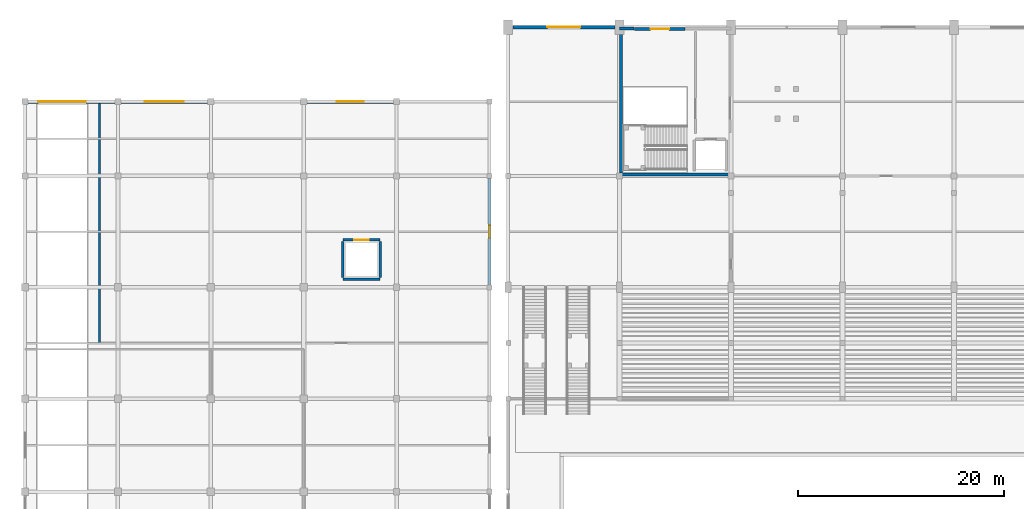
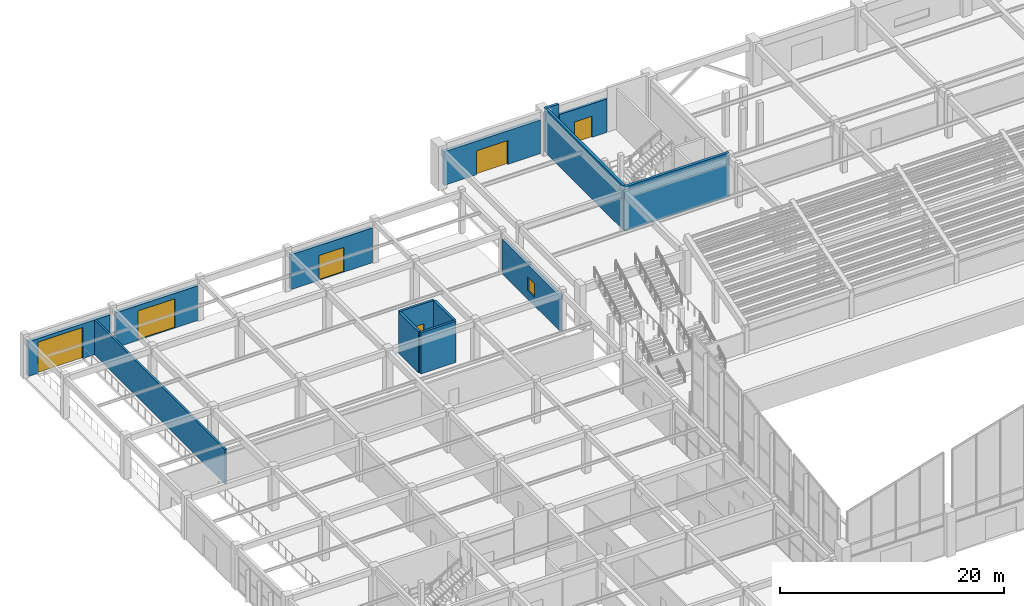
# One storey, part 53 of 82: 14 walls, 6 doors, 1 window, 7 openings.
"""IFC4 building model written with IfcOpenShell, lengths in metres."""

from ifc_helpers import new_model, si_unit, direction, frame, frame_2d, origin, place, context, subcontext, project, spatial, rectangle, extrude, material, layer, layer_set, type_object, element, fill, save


model = new_model("IFC4")

# Units and contexts
model_context = context("Model", 3, precision=1e-05, world=origin(), true_north=direction((0.0, 1.0)))
body_context = subcontext(model_context, "Body", "Model", "MODEL_VIEW")
ifc_project = project(units=[si_unit("LENGTHUNIT", "METRE"), si_unit("AREAUNIT", "SQUARE_METRE"), si_unit("VOLUMEUNIT", "CUBIC_METRE"), si_unit("PLANEANGLEUNIT", "RADIAN"), si_unit("MASSUNIT", "GRAM", prefix="KILO")], contexts=[model_context])

# Site, building, storey
site_placement = place(None, origin())
site = spatial("IfcSite", under=ifc_project, at=site_placement, CompositionType="ELEMENT")
building_placement = place(site_placement, origin())
building = spatial("IfcBuilding", under=site, at=building_placement, Name="Suirenkawa Promenade Aquatics Centre", CompositionType="ELEMENT")
storey_placement = place(building_placement, origin())
storey = spatial("IfcBuildingStorey", under=building, at=storey_placement, Name="L00", CompositionType="ELEMENT", Elevation=0.0)

# Walls
ifc_material_1 = material(Name="Autoclaved aerated concrete blockwork Grade 1", Category="masonry")
ifc_layer_1 = layer(ifc_material_1, 0.199951171875, Name="Autoclaved aerated concrete blockwork Grade 1", Category="masonry")
ifc_layer_set_1 = layer_set([ifc_layer_1], Name="Autoclaved aerated concrete blockwork Grade 1")
wall_type_1 = type_object("IfcWallType", Name="WT-COMP-200", PredefinedType="PARTITIONING", material=ifc_layer_set_1)
wall_1_placement = place(storey_placement, frame((7.199951171875, 91.800048828125, 0.0), z_axis=(0.0, 0.0, 1.0), x_axis=(0.0, 1.0, 0.0)))
element("IfcWall", 1, at=wall_1_placement, inside=storey, type_object=wall_type_1, Name="Interior wall WL-PRT-01 W-7231", PredefinedType="PARTITIONING", context=body_context, shape_type="SweptSolid", body=[
    extrude(rectangle(XDim=23.39990234375, YDim=0.199951171875, at=frame_2d((11.699951171875, 0.0))), origin(), (0.0, 0.0, 1.0), 3.784912109375),
])
ifc_material_2 = material(Name="Concrete M40", Category="concrete")
ifc_layer_2 = layer(ifc_material_2, 0.280029296875, Name="Concrete M40", Category="concrete")
ifc_layer_set_2 = layer_set([ifc_layer_2], Name="Concrete M40")
wall_type_2 = type_object("IfcWallType", Name="WT-CORE-280", PredefinedType="SHEAR", material=ifc_layer_set_2)
wall_2_placement = place(storey_placement, frame((57.60009765625, 108.139892578125, 0.0), z_axis=(0.0, 0.0, 1.0), x_axis=(1.0, 0.0, 0.0)))
element("IfcWall", 2, at=wall_2_placement, inside=storey, type_object=wall_type_2, Name="C3 south core wall WL-CORE-02 W-0113", PredefinedType="SHEAR", context=body_context, shape_type="SweptSolid", body=[
    extrude(rectangle(XDim=10.7998046875, YDim=0.280029296875, at=frame_2d((5.39990234375, 0.0))), origin(), (0.0, 0.0, 1.0), 4.800048828125),
])
wall_3_placement = place(storey_placement, frame((57.60009765625, 122.260009765625, 0.0), z_axis=(0.0, 0.0, 1.0), x_axis=(1.0, 0.0, 0.0)))
element("IfcWall", 3, at=wall_3_placement, inside=storey, type_object=wall_type_2, Name="C3 north-west core wall WL-CORE-02 W-0114", PredefinedType="SHEAR", context=body_context, shape_type="SweptSolid", body=[
    extrude(rectangle(XDim=1.39990234375, YDim=0.280029296875, at=frame_2d((0.699951171875, 0.0))), origin(), (0.0, 0.0, 1.0), 4.800048828125),
])
wall_4_placement = place(storey_placement, frame((57.739990234375, 108.280029296875, 0.0), z_axis=(0.0, 0.0, 1.0), x_axis=(0.0, 1.0, 0.0)))
element("IfcWall", 4, at=wall_4_placement, inside=storey, type_object=wall_type_2, Name="C3 west core wall WL-CORE-02 W-0116", PredefinedType="SHEAR", context=body_context, shape_type="SweptSolid", body=[
    extrude(rectangle(XDim=13.840087890625, YDim=0.280029296875, at=frame_2d((6.919921875, 0.0))), origin(), (0.0, 0.0, 1.0), 4.800048828125),
])

# Wall, opening, door
ifc_layer_3 = layer(ifc_material_2, 0.27001953125, Name="Concrete M40", Category="concrete")
ifc_layer_set_3 = layer_set([ifc_layer_3], Name="Concrete M40")
wall_type_3 = type_object("IfcWallType", Name="WT-EXT-270", PredefinedType="SOLIDWALL", material=ifc_layer_set_3)
wall_5_placement = place(storey_placement, frame((59.050048828125, 122.239990234375, 0.0), z_axis=(0.0, 0.0, 1.0), x_axis=(1.0, 0.0, 0.0)))
wall_5 = element("IfcWall", 5, at=wall_5_placement, inside=storey, type_object=wall_type_3, Name="Exterior wall WL-EXT-04 W-5133", PredefinedType="SOLIDWALL", context=body_context, shape_type="SweptSolid", body=[
    extrude(rectangle(XDim=4.89990234375, YDim=0.27001953125, at=frame_2d((2.449951171875, 0.0))), origin(), (0.0, 0.0, 1.0), 3.655029296875),
])
opening_1_placement = place(wall_5_placement, frame((1.550048828125, 0.0, 0.0)))
opening_1 = element("IfcOpeningElement", 6, at=opening_1_placement, cuts=wall_5, Name="Opening ED-07", PredefinedType="OPENING", context=body_context, shape_type="SweptSolid", body=[
    extrude(rectangle(XDim=1.800048828125, YDim=2.300048828125, at=frame_2d((0.89990234375, 1.14990234375))), frame((0.0, 0.14501953125, 0.0), z_axis=(0.0, -1.0, 0.0), x_axis=(1.0, 0.0, 0.0)), (0.0, 0.0, 1.0), 0.2900390625),
])
ifc_material_3 = material(Name="Anodised aluminium 6063-T6", Category="aluminium")
door_type_1 = type_object("IfcDoorType", Name="DT-EXT-TERR-1800x2300", OperationType="DOUBLE_DOOR_SINGLE_SWING", PredefinedType="DOOR", material=ifc_material_3)
door_1_placement = place(opening_1_placement, origin())
door_1 = element("IfcDoor", 7, at=door_1_placement, inside=storey, type_object=door_type_1, Name="Exterior door ED-07 DR-EXT-055", OperationType="DOUBLE_DOOR_SINGLE_SWING", OverallHeight=2.300048828125, OverallWidth=1.800048828125, PredefinedType="DOOR", context=body_context, shape_type="SweptSolid", body=[
    extrude(rectangle(XDim=1.800048828125, YDim=2.300048828125, at=frame_2d((0.89990234375, 1.14990234375))), frame((0.0, 0.02490234375, 0.0), z_axis=(0.0, -1.0, 0.0), x_axis=(1.0, 0.0, 0.0)), (0.0, 0.0, 1.0), 0.050048828125),
])
fill(opening_1, door_1)

# Wall, opening, window
ifc_layer_4 = layer(ifc_material_2, 0.2900390625, Name="Concrete M40", Category="concrete")
ifc_layer_set_4 = layer_set([ifc_layer_4], Name="Concrete M40")
wall_type_4 = type_object("IfcWallType", Name="WT-EXT-290", PredefinedType="SOLIDWALL", material=ifc_layer_set_4)
wall_6_placement = place(storey_placement, frame((45.0, 107.7451171875, 0.0), z_axis=(0.0, 0.0, 1.0), x_axis=(0.0, -1.0, 0.0)))
wall_6 = element("IfcWall", 8, at=wall_6_placement, inside=storey, type_object=wall_type_4, Name="Exterior wall WL-EXT-03 W-5102", PredefinedType="SOLIDWALL", context=body_context, shape_type="SweptSolid", body=[
    extrude(rectangle(XDim=10.2900390625, YDim=0.2900390625, at=frame_2d((5.14501953125, 0.0))), origin(), (0.0, 0.0, 1.0), 3.784912109375),
])
opening_2_placement = place(wall_6_placement, frame((4.544921875, 0.0, 0.949951171875)))
opening_2 = element("IfcOpeningElement", 9, at=opening_2_placement, cuts=wall_6, Name="Opening WN-15", PredefinedType="OPENING", context=body_context, shape_type="SweptSolid", body=[
    extrude(rectangle(XDim=1.199951171875, YDim=1.5, at=frame_2d((0.60009765625, 0.75))), frame((0.0, 0.155029296875, 0.0), z_axis=(0.0, -1.0, 0.0), x_axis=(1.0, 0.0, 0.0)), (0.0, 0.0, 1.0), 0.31005859375),
])
ifc_material_4 = material(Name="Low-E thermally broken double glazing", Category="glass")
window_type = type_object("IfcWindowType", Name="WNT-STD-1200x1500", PartitioningType="SINGLE_PANEL", PredefinedType="WINDOW", material=ifc_material_4)
window_placement = place(opening_2_placement, origin())
window = element("IfcWindow", 10, at=window_placement, inside=storey, type_object=window_type, Name="Window WN-15 WN-0044", OverallHeight=1.5, OverallWidth=1.199951171875, PartitioningType="SINGLE_PANEL", PredefinedType="WINDOW", context=body_context, shape_type="SweptSolid", body=[
    extrude(rectangle(XDim=1.199951171875, YDim=1.5, at=frame_2d((0.60009765625, 0.75))), frame((0.0, 0.030029296875, 0.0), z_axis=(0.0, -1.0, 0.0), x_axis=(1.0, 0.0, 0.0)), (0.0, 0.0, 1.0), 0.06005859375),
])
fill(opening_2, window)

# Wall, opening, door
ifc_layer_5 = layer(ifc_material_2, 0.340087890625, Name="Concrete M40", Category="concrete")
ifc_layer_set_5 = layer_set([ifc_layer_5], Name="Concrete M40")
wall_type_5 = type_object("IfcWallType", Name="WT-EXT-340", PredefinedType="SOLIDWALL", material=ifc_layer_set_5)
wall_7_placement = place(storey_placement, frame((47.2548828125, 122.39990234375, 0.0), z_axis=(0.0, 0.0, 1.0), x_axis=(1.0, 0.0, 0.0)))
wall_7 = element("IfcWall", 11, at=wall_7_placement, inside=storey, type_object=wall_type_5, Name="Exterior wall WL-EXT-01 W-5002", PredefinedType="SOLIDWALL", context=body_context, shape_type="SweptSolid", body=[
    extrude(rectangle(XDim=9.89013671875, YDim=0.340087890625, at=frame_2d((4.945068359375, 0.0))), origin(), (0.0, 0.0, 1.0), 3.655029296875),
])
opening_3_placement = place(wall_7_placement, frame((3.344970703125, 0.0, 0.0)))
opening_3 = element("IfcOpeningElement", 12, at=opening_3_placement, cuts=wall_7, Name="Opening ED-02", PredefinedType="OPENING", context=body_context, shape_type="SweptSolid", body=[
    extrude(rectangle(XDim=3.199951171875, YDim=2.60009765625, at=frame_2d((1.60009765625, 1.300048828125))), frame((0.0, 0.179931640625, 0.0), z_axis=(0.0, -1.0, 0.0), x_axis=(1.0, 0.0, 0.0)), (0.0, 0.0, 1.0), 0.360107421875),
])
door_type_2 = type_object("IfcDoorType", Name="DT-EXT-CONC-3200x2600", OperationType="DOUBLE_DOOR_SINGLE_SWING", PredefinedType="DOOR", material=ifc_material_3)
door_2_placement = place(opening_3_placement, origin())
door_2 = element("IfcDoor", 13, at=door_2_placement, inside=storey, type_object=door_type_2, Name="Exterior door ED-02 DR-EXT-002", OperationType="DOUBLE_DOOR_SINGLE_SWING", OverallHeight=2.60009765625, OverallWidth=3.199951171875, PredefinedType="DOOR", context=body_context, shape_type="SweptSolid", body=[
    extrude(rectangle(XDim=3.199951171875, YDim=2.60009765625, at=frame_2d((1.60009765625, 1.300048828125))), frame((0.0, 0.02490234375, 0.0), z_axis=(0.0, -1.0, 0.0), x_axis=(1.0, 0.0, 0.0)), (0.0, 0.0, 1.0), 0.050048828125),
])
fill(opening_3, door_2)

wall_8_placement = place(storey_placement, frame((0.304931640625, 115.199951171875, 0.0), z_axis=(0.0, 0.0, 1.0), x_axis=(1.0, 0.0, 0.0)))
wall_8 = element("IfcWall", 14, at=wall_8_placement, inside=storey, type_object=wall_type_5, Name="Exterior wall WL-EXT-01 W-5071", PredefinedType="SOLIDWALL", context=body_context, shape_type="SweptSolid", body=[
    extrude(rectangle(XDim=8.39013671875, YDim=0.340087890625, at=frame_2d((4.195068359375, 0.0))), origin(), (0.0, 0.0, 1.0), 3.784912109375),
])
opening_4_placement = place(wall_8_placement, frame((0.9951171875, 0.0, 0.0)))
opening_4 = element("IfcOpeningElement", 15, at=opening_4_placement, cuts=wall_8, Name="Opening VD-01", PredefinedType="OPENING", context=body_context, shape_type="SweptSolid", body=[
    extrude(rectangle(XDim=4.60009765625, YDim=3.39990234375, at=frame_2d((2.300048828125, 1.699951171875))), frame((0.0, 0.179931640625, 0.0), z_axis=(0.0, -1.0, 0.0), x_axis=(1.0, 0.0, 0.0)), (0.0, 0.0, 1.0), 0.360107421875),
])
ifc_material_5 = material(Name="Steel IS 2062 E350 (Grade 350)", Category="steel")
door_type_3 = type_object("IfcDoorType", Name="DT-GATE-4600x3400", OperationType="ROLLINGUP", PredefinedType="GATE", material=ifc_material_5)
door_3_placement = place(opening_4_placement, origin())
door_3 = element("IfcDoor", 16, at=door_3_placement, inside=storey, type_object=door_type_3, Name="Exterior vehicle gate VD-01 DR-VD-01", OperationType="ROLLINGUP", OverallHeight=3.39990234375, OverallWidth=4.60009765625, PredefinedType="GATE", context=body_context, shape_type="SweptSolid", body=[
    extrude(rectangle(XDim=4.60009765625, YDim=3.39990234375, at=frame_2d((2.300048828125, 1.699951171875))), frame((0.0, 0.02490234375, 0.0), z_axis=(0.0, -1.0, 0.0), x_axis=(1.0, 0.0, 0.0)), (0.0, 0.0, 1.0), 0.050048828125),
])
fill(opening_4, door_3)

wall_9_placement = place(storey_placement, frame((9.304931640625, 115.199951171875, 0.0), z_axis=(0.0, 0.0, 1.0), x_axis=(1.0, 0.0, 0.0)))
wall_9 = element("IfcWall", 17, at=wall_9_placement, inside=storey, type_object=wall_type_5, Name="Exterior wall WL-EXT-01 W-5072", PredefinedType="SOLIDWALL", context=body_context, shape_type="SweptSolid", body=[
    extrude(rectangle(XDim=8.39013671875, YDim=0.340087890625, at=frame_2d((4.195068359375, 0.0))), origin(), (0.0, 0.0, 1.0), 3.784912109375),
])
opening_5_placement = place(wall_9_placement, frame((2.294921875, 0.0, 0.0)))
opening_5 = element("IfcOpeningElement", 18, at=opening_5_placement, cuts=wall_9, Name="Opening VD-02", PredefinedType="OPENING", context=body_context, shape_type="SweptSolid", body=[
    extrude(rectangle(XDim=3.800048828125, YDim=3.199951171875, at=frame_2d((1.89990234375, 1.60009765625))), frame((0.0, 0.179931640625, 0.0), z_axis=(0.0, -1.0, 0.0), x_axis=(1.0, 0.0, 0.0)), (0.0, 0.0, 1.0), 0.360107421875),
])
door_type_4 = type_object("IfcDoorType", Name="DT-GATE-3800x3200", OperationType="ROLLINGUP", PredefinedType="GATE", material=ifc_material_5)
door_4_placement = place(opening_5_placement, origin())
door_4 = element("IfcDoor", 19, at=door_4_placement, inside=storey, type_object=door_type_4, Name="Exterior vehicle gate VD-02 DR-EXT-040", OperationType="ROLLINGUP", OverallHeight=3.199951171875, OverallWidth=3.800048828125, PredefinedType="GATE", context=body_context, shape_type="SweptSolid", body=[
    extrude(rectangle(XDim=3.800048828125, YDim=3.199951171875, at=frame_2d((1.89990234375, 1.60009765625))), frame((0.0, 0.02490234375, 0.0), z_axis=(0.0, -1.0, 0.0), x_axis=(1.0, 0.0, 0.0)), (0.0, 0.0, 1.0), 0.050048828125),
])
fill(opening_5, door_4)

wall_10_placement = place(storey_placement, frame((27.304931640625, 115.199951171875, 0.0), z_axis=(0.0, 0.0, 1.0), x_axis=(1.0, 0.0, 0.0)))
wall_10 = element("IfcWall", 20, at=wall_10_placement, inside=storey, type_object=wall_type_5, Name="Exterior wall WL-EXT-01 W-5073", PredefinedType="SOLIDWALL", context=body_context, shape_type="SweptSolid", body=[
    extrude(rectangle(XDim=8.39013671875, YDim=0.340087890625, at=frame_2d((4.195068359375, 0.0))), origin(), (0.0, 0.0, 1.0), 3.784912109375),
])
opening_6_placement = place(wall_10_placement, frame((2.89501953125, 0.0, 0.0)))
opening_6 = element("IfcOpeningElement", 21, at=opening_6_placement, cuts=wall_10, Name="Opening ED-12", PredefinedType="OPENING", context=body_context, shape_type="SweptSolid", body=[
    extrude(rectangle(XDim=2.60009765625, YDim=2.699951171875, at=frame_2d((1.300048828125, 1.35009765625))), frame((0.0, 0.179931640625, 0.0), z_axis=(0.0, -1.0, 0.0), x_axis=(1.0, 0.0, 0.0)), (0.0, 0.0, 1.0), 0.360107421875),
])
door_type_5 = type_object("IfcDoorType", Name="DT-EXT-SERV-2600x2700", OperationType="DOUBLE_DOOR_SINGLE_SWING", PredefinedType="DOOR", material=ifc_material_3)
door_5_placement = place(opening_6_placement, origin())
door_5 = element("IfcDoor", 22, at=door_5_placement, inside=storey, type_object=door_type_5, Name="Exterior door ED-12 DR-EXT-041", OperationType="DOUBLE_DOOR_SINGLE_SWING", OverallHeight=2.699951171875, OverallWidth=2.60009765625, PredefinedType="DOOR", context=body_context, shape_type="SweptSolid", body=[
    extrude(rectangle(XDim=2.60009765625, YDim=2.699951171875, at=frame_2d((1.300048828125, 1.35009765625))), frame((0.0, 0.02490234375, 0.0), z_axis=(0.0, -1.0, 0.0), x_axis=(1.0, 0.0, 0.0)), (0.0, 0.0, 1.0), 0.050048828125),
])
fill(opening_6, door_5)

ifc_layer_6 = layer(ifc_material_2, 0.239990234375, Name="Concrete M40", Category="concrete")
ifc_layer_set_6 = layer_set([ifc_layer_6], Name="Concrete M40")
wall_type_6 = type_object("IfcWallType", Name="WT-SHAFT-240", PredefinedType="SOLIDWALL", material=ifc_layer_set_6)
wall_11_placement = place(storey_placement, frame((30.800048828125, 101.800048828125, 0.0), z_axis=(0.0, 0.0, 1.0), x_axis=(1.0, 0.0, 0.0)))
wall_11 = element("IfcWall", 23, at=wall_11_placement, inside=storey, type_object=wall_type_6, Name="Interior wall WL-SHF-01 W-7155", PredefinedType="SOLIDWALL", context=body_context, shape_type="SweptSolid", body=[
    extrude(rectangle(XDim=3.599853515625, YDim=0.239990234375, at=frame_2d((1.7998046875, 0.0))), origin(), (0.0, 0.0, 1.0), 4.485107421875),
])
opening_7_placement = place(wall_11_placement, frame((1.10009765625, 0.0, 0.0)))
opening_7 = element("IfcOpeningElement", 24, at=opening_7_placement, cuts=wall_11, Name="Opening LD-03", PredefinedType="OPENING", context=body_context, shape_type="SweptSolid", body=[
    extrude(rectangle(XDim=1.39990234375, YDim=2.300048828125, at=frame_2d((0.699951171875, 1.14990234375))), frame((0.0, 0.1298828125, 0.0), z_axis=(0.0, -1.0, 0.0), x_axis=(1.0, 0.0, 0.0)), (0.0, 0.0, 1.0), 0.260009765625),
])
ifc_material_6 = material(Name="Marine-grade stainless steel Grade 316L", Category="steel")
door_type_6 = type_object("IfcDoorType", Name="DT-LIFT-1400x2300", OperationType="DOUBLE_DOOR_SLIDING", PredefinedType="DOOR", material=ifc_material_6)
door_6_placement = place(opening_7_placement, origin())
door_6 = element("IfcDoor", 25, at=door_6_placement, inside=storey, type_object=door_type_6, Name="Landing door LD-03 DR-INT-0098", OperationType="DOUBLE_DOOR_SLIDING", OverallHeight=2.300048828125, OverallWidth=1.39990234375, PredefinedType="DOOR", context=body_context, shape_type="SweptSolid", body=[
    extrude(rectangle(XDim=1.39990234375, YDim=2.300048828125, at=frame_2d((0.699951171875, 1.14990234375))), frame((0.0, 0.02490234375, 0.0), z_axis=(0.0, -1.0, 0.0), x_axis=(1.0, 0.0, 0.0)), (0.0, 0.0, 1.0), 0.050048828125),
])
fill(opening_7, door_6)

# Walls
wall_12_placement = place(storey_placement, frame((30.800048828125, 98.0, 0.0), z_axis=(0.0, 0.0, 1.0), x_axis=(1.0, 0.0, 0.0)))
element("IfcWall", 26, at=wall_12_placement, inside=storey, type_object=wall_type_6, Name="Interior wall WL-SHF-01 W-7156", PredefinedType="SOLIDWALL", context=body_context, shape_type="SweptSolid", body=[
    extrude(rectangle(XDim=3.599853515625, YDim=0.239990234375, at=frame_2d((1.7998046875, 0.0))), origin(), (0.0, 0.0, 1.0), 4.485107421875),
])
for number, where, z_axis, x_axis, name in (
    (27, (30.800048828125, 98.14990234375, 0.0), (0.0, 0.0, 1.0), (0.0, 1.0, 0.0), "Interior wall WL-SHF-01 W-7157"),
    (28, (34.39990234375, 98.14990234375, 0.0), (0.0, 0.0, 1.0), (0.0, 1.0, 0.0), "Interior wall WL-SHF-01 W-7158"),
):
    element("IfcWall", number, at=place(storey_placement, frame(where, z_axis=z_axis, x_axis=x_axis)), inside=storey, type_object=wall_type_6, Name=name, PredefinedType="SOLIDWALL", context=body_context, shape_type="SweptSolid", body=[
        extrude(rectangle(XDim=3.5, YDim=0.239990234375, at=frame_2d((1.75, 0.0))), origin(), (0.0, 0.0, 1.0), 4.485107421875),
    ])

save(model, "model.ifc")
